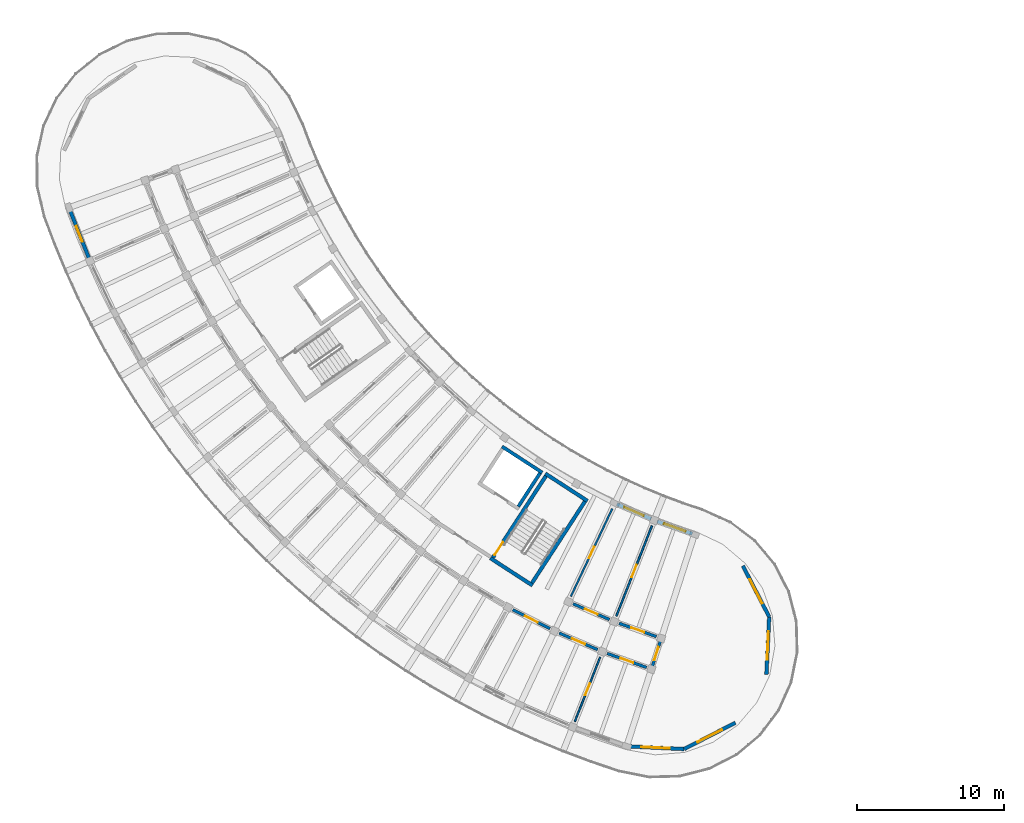
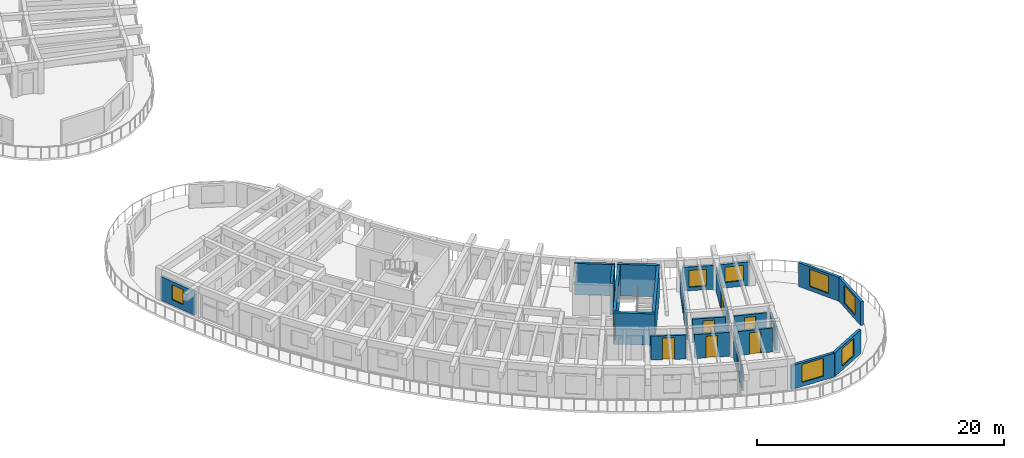
# One storey, part 43 of 83: 22 walls, 10 doors, 7 windows, 17 openings.
"""IFC4 building model written with IfcOpenShell, lengths in metres."""

import ifcopenshell
import ifcopenshell.guid

model = None  # the IFC model being written
_history = None  # IfcOwnerHistory: only IFC2X3 demands one
_inside = {}  # id of a spatial element -> (the spatial element, [elements in it])
_under = {}  # id of a project, library or spatial element -> (it, [spatial elements below it])
_declared = {}  # id of a project -> (the project, [libraries it declares])
_typed = {}  # id of a type object -> (the type object, [elements of that type])
_made_of = {}  # id of a material, layer set ... -> (it, [elements and type objects made of it])


def new_model(schema):
    """Start an empty IFC model of exactly this schema.

    Asked for "IFC4X3", IfcOpenShell would pick the latest addendum, in which some entities
    have other attributes; the version numbers below select the first issue.
    IFC2X3 requires an IfcOwnerHistory on every rooted entity: one is made here for all.
    """
    global model, _history
    if schema == "IFC4X3":
        model = ifcopenshell.file(schema_version=(4, 3, 0, 0))
    else:
        model = ifcopenshell.file(schema=schema)
    _inside.clear()
    _under.clear()
    _declared.clear()
    _typed.clear()
    _made_of.clear()
    _history = None
    if model.schema == "IFC2X3":
        org = make("IfcOrganization", Name="unknown")
        user = make(
            "IfcPersonAndOrganization",
            ThePerson=make("IfcPerson", FamilyName="unknown"),
            TheOrganization=org,
        )
        app = make(
            "IfcApplication",
            ApplicationDeveloper=org,
            Version="unknown",
            ApplicationFullName="unknown",
            ApplicationIdentifier="unknown",
        )
        _history = make(
            "IfcOwnerHistory",
            OwningUser=user,
            OwningApplication=app,
            ChangeAction="ADDED",
            CreationDate=0,
        )
    return model


def make(cls, **values):
    """One entity of the class cls with the attributes given. An attribute that is None is left unset."""
    return model.create_entity(
        cls, **{name: value for name, value in values.items() if value is not None}
    )


def rooted(cls, **values):
    """An entity with a GlobalId (a new one), such as an element, a storey or a relation."""
    return make(cls, GlobalId=ifcopenshell.guid.new(), OwnerHistory=_history, **values)


def si_unit(unit_type, name, prefix=None):
    """IfcSIUnit, for example si_unit("LENGTHUNIT", "METRE", prefix="MILLI")."""
    return make("IfcSIUnit", UnitType=unit_type, Prefix=prefix, Name=name)


def assignment(units):
    """IfcUnitAssignment: the units of a project."""
    return None if units is None else make("IfcUnitAssignment", Units=units)


def point(xyz):
    """IfcCartesianPoint."""
    return None if xyz is None else make("IfcCartesianPoint", Coordinates=xyz)


def direction(xyz):
    """IfcDirection."""
    return None if xyz is None else make("IfcDirection", DirectionRatios=xyz)


def frame(location, z_axis=None, x_axis=None):
    """IfcAxis2Placement3D, a coordinate frame: its origin and axes. An axis left out is left unset."""
    return make(
        "IfcAxis2Placement3D",
        Location=point(location),
        Axis=direction(z_axis),
        RefDirection=direction(x_axis),
    )


def frame_2d(location, x_axis=None):
    """IfcAxis2Placement2D, a coordinate frame in the plane: its origin and x axis."""
    return make(
        "IfcAxis2Placement2D", Location=point(location), RefDirection=direction(x_axis)
    )


def origin():
    """The frame at (0, 0, 0) with its axes left unset."""
    return frame((0.0, 0.0, 0.0))


def place(relative_to, where):
    """IfcLocalPlacement: puts the frame where relative to a parent placement (None: the world)."""
    return make(
        "IfcLocalPlacement", PlacementRelTo=relative_to, RelativePlacement=where
    )


def context(
    kind, dimensions, precision=None, world=None, true_north=None, identifier=None
):
    """IfcGeometricRepresentationContext, for example the 3D "Model" context."""
    return make(
        "IfcGeometricRepresentationContext",
        ContextIdentifier=identifier,
        ContextType=kind,
        CoordinateSpaceDimension=dimensions,
        Precision=precision,
        WorldCoordinateSystem=world,
        TrueNorth=true_north,
    )


def subcontext(parent, identifier, kind, view, scale=None):
    """IfcGeometricRepresentationSubContext, for example "Body" below "Model"."""
    return make(
        "IfcGeometricRepresentationSubContext",
        ContextIdentifier=identifier,
        ContextType=kind,
        ParentContext=parent,
        TargetScale=scale,
        TargetView=view,
    )


def project(units=None, contexts=None):
    """IfcProject with its units and contexts."""
    return rooted(
        "IfcProject",
        Name="project",
        RepresentationContexts=contexts,
        UnitsInContext=assignment(units),
    )


def spatial(cls, under=None, at=None, **own):
    """A site, building, storey or space (cls), placed at a placement, below another one or the project."""
    s = rooted(cls, ObjectPlacement=at, **own)
    if under is not None:
        _under.setdefault(under.id(), (under, []))[1].append(s)
    return s


def profile(cls, at=None, kind="AREA", **sizes):
    """A parametric profile (cls). Its sizes go by their IFC names, for example OverallWidth=200.0."""
    return make(cls, ProfileType=kind, Position=at, **sizes)


def rectangle(**sizes):
    """IfcRectangleProfileDef."""
    return profile("IfcRectangleProfileDef", **sizes)


def extrude(swept, where, along, depth):
    """IfcExtrudedAreaSolid: the profile swept, set in the frame where, extruded along a direction by depth."""
    return make(
        "IfcExtrudedAreaSolid",
        SweptArea=swept,
        Position=where,
        ExtrudedDirection=direction(along),
        Depth=depth,
    )


def shape(context_of_items, identifier, shape_type, items):
    """IfcShapeRepresentation: the items that make up one representation, for example the "Body"."""
    return make(
        "IfcShapeRepresentation",
        ContextOfItems=context_of_items,
        RepresentationIdentifier=identifier,
        RepresentationType=shape_type,
        Items=items,
    )


def material(Name=None, Category=None):
    """IfcMaterial."""
    return make("IfcMaterial", Name=Name, Category=Category)


def layer(
    of_material, thickness, ventilated=None, Name=None, Category=None, Priority=None
):
    """IfcMaterialLayer: one layer of a wall or slab, of a material (None: an air gap)."""
    return make(
        "IfcMaterialLayer",
        Material=of_material,
        LayerThickness=thickness,
        IsVentilated=ventilated,
        Name=Name,
        Category=Category,
        Priority=Priority,
    )


def layer_set(layers, Name=None):
    """IfcMaterialLayerSet."""
    return make("IfcMaterialLayerSet", MaterialLayers=layers, LayerSetName=Name)


def made_of(thing, what):
    """Note that an element or type object is made of a material, layer set ...; save() writes the relation."""
    if what is not None:
        _made_of.setdefault(what.id(), (what, []))[1].append(thing)
    return thing


def type_object(cls, material=None, **own):
    """A type object (cls), such as IfcWallType, which elements share."""
    return made_of(rooted(cls, **own), material)


def element(
    cls,
    number,
    at=None,
    inside=None,
    cuts=None,
    type_object=None,
    material=None,
    context=None,
    identifier="Body",
    shape_type=None,
    held_by="IfcProductDefinitionShape",
    body=None,
    shapes=None,
    **own,
):
    """One element of the class cls, such as IfcWall. Its Tag is "e" and its number.

    at: its placement. inside: the storey or other place that contains it. cuts: it is an
    opening in that element (IfcRelVoidsElement). A single representation is given by context,
    identifier, shape_type and body (its items); several are given by shapes. held_by: the class
    of the entity that holds the representations. save() writes the other relations.
    """
    e = rooted(cls, Tag="e%d" % number, ObjectPlacement=at, **own)
    if body is not None:
        shapes = [shape(context, identifier, shape_type, body)]
    if shapes is not None:
        e.Representation = make(held_by, Representations=shapes)
    if inside is not None:
        _inside.setdefault(inside.id(), (inside, []))[1].append(e)
    if cuts is not None:
        rooted(
            "IfcRelVoidsElement", RelatingBuildingElement=cuts, RelatedOpeningElement=e
        )
    if type_object is not None:
        _typed.setdefault(type_object.id(), (type_object, []))[1].append(e)
    return made_of(e, material)


def fill(opening, filler):
    """IfcRelFillsElement: the door or window that sits in an opening."""
    return rooted(
        "IfcRelFillsElement",
        RelatingOpeningElement=opening,
        RelatedBuildingElement=filler,
    )


def aggregate(whole, parts):
    """IfcRelAggregates: a whole, such as a stair, and the parts it consists of."""
    return rooted("IfcRelAggregates", RelatingObject=whole, RelatedObjects=parts)


def save(model, path):
    """Write the relations noted so far, then the file.

    IfcRelAggregates (storeys below a building ...), IfcRelContainedInSpatialStructure (elements
    in a storey), IfcRelDefinesByType, IfcRelAssociatesMaterial and IfcRelDeclares: one each for
    every whole, place, type object, material and project.
    """
    for whole, parts in _under.values():
        aggregate(whole, parts)
    for where, things in _inside.values():
        rooted(
            "IfcRelContainedInSpatialStructure",
            RelatedElements=things,
            RelatingStructure=where,
        )
    for kind, things in _typed.values():
        rooted("IfcRelDefinesByType", RelatedObjects=things, RelatingType=kind)
    for what, things in _made_of.values():
        rooted("IfcRelAssociatesMaterial", RelatedObjects=things, RelatingMaterial=what)
    for by, libraries in _declared.values():
        rooted("IfcRelDeclares", RelatingContext=by, RelatedDefinitions=libraries)
    model.write(path)


model = new_model("IFC4")

# Units and contexts
model_context = context("Model", 3, precision=1e-05, world=origin(), true_north=direction((0.0, 1.0)))
body_context = subcontext(model_context, "Body", "Model", "MODEL_VIEW")
ifc_project = project(units=[si_unit("LENGTHUNIT", "METRE"), si_unit("AREAUNIT", "SQUARE_METRE"), si_unit("VOLUMEUNIT", "CUBIC_METRE"), si_unit("PLANEANGLEUNIT", "RADIAN"), si_unit("MASSUNIT", "GRAM", prefix="KILO")], contexts=[model_context])

# Site, building, storey
site_placement = place(None, origin())
site = spatial("IfcSite", under=ifc_project, at=site_placement, CompositionType="ELEMENT")
building_placement = place(site_placement, origin())
building = spatial("IfcBuilding", under=site, at=building_placement, Name="Tanwirah Colonnade Gardens", CompositionType="ELEMENT")
storey_placement = place(building_placement, frame((0.0, 0.0, 25.639892578125)))
storey = spatial("IfcBuildingStorey", under=building, at=storey_placement, Name="L07", CompositionType="ELEMENT", Elevation=25.639892578125)

# Wall, opening, window
ifc_material_1 = material(Name="Limestone architectural precast concrete C40/50", Category="masonry")
ifc_layer_1 = layer(ifc_material_1, 0.2451171875)
ifc_layer_set_1 = layer_set([ifc_layer_1], Name="Limestone architectural precast concrete C40/50")
wall_type_1 = type_object("IfcWallType", Name="EW-PC245", PredefinedType="SOLIDWALL", material=ifc_layer_set_1)
wall_1_placement = place(storey_placement, frame((9.011962890625, 44.228271484375, 0.0), z_axis=(0.0, 0.0, 1.0), x_axis=(0.368524215316, -0.929618148879, 0.0)))
wall_1 = element("IfcWall", 1, at=wall_1_placement, inside=storey, type_object=wall_type_1, Name="Block C L07 OUT Precast Facade Wall 1", PredefinedType="SOLIDWALL", context=body_context, shape_type="SweptSolid", body=[
    extrude(rectangle(XDim=3.51171875, YDim=0.2451171875, at=frame_2d((1.755859375, 0.0))), origin(), (0.0, 0.0, 1.0), 2.355224609375),
])
opening_1_placement = place(wall_1_placement, frame((1.17578125, 0.0, 0.550048828125)))
opening_1 = element("IfcOpeningElement", 2, at=opening_1_placement, cuts=wall_1, Name="Opening WIN-U01", PredefinedType="OPENING", context=body_context, shape_type="SweptSolid", body=[
    extrude(rectangle(XDim=1.159912109375, YDim=1.485107421875, at=frame_2d((0.580078125, 0.74267578125))), frame((0.0, 0.132568359375, 0.0), z_axis=(0.0, -1.0, 0.0), x_axis=(1.0, 0.0, 0.0)), (0.0, 0.0, 1.0), 0.26513671875),
])
ifc_material_2 = material(Name="Thermally broken bronze aluminium and solar low-E double glazing", Category="aluminium")
window_type_1 = type_object("IfcWindowType", Name="WIN-U01", PartitioningType="DOUBLE_PANEL_VERTICAL", PredefinedType="WINDOW", material=ifc_material_2)
window_1_placement = place(opening_1_placement, origin())
window_1 = element("IfcWindow", 3, at=window_1_placement, inside=storey, type_object=window_type_1, Name="Facade window C-L07-OUT-01", OverallHeight=1.485107421875, OverallWidth=1.159912109375, PartitioningType="SINGLE_PANEL", PredefinedType="WINDOW", context=body_context, shape_type="SweptSolid", body=[
    extrude(rectangle(XDim=1.159912109375, YDim=1.485107421875, at=frame_2d((0.580078125, 0.74267578125))), frame((0.0, 0.030029296875, 0.0), z_axis=(0.0, -1.0, 0.0), x_axis=(1.0, 0.0, 0.0)), (0.0, 0.0, 1.0), 0.06005859375),
])
fill(opening_1, window_1)

wall_2_placement = place(storey_placement, frame((46.185791015625, 24.2333984375, 0.0), z_axis=(0.0, 0.0, 1.0), x_axis=(0.917939882583, -0.39671951296, 0.0)))
wall_2 = element("IfcWall", 4, at=wall_2_placement, inside=storey, type_object=wall_type_1, Name="Block C L07 IN Precast Facade Wall 13", PredefinedType="SOLIDWALL", context=body_context, shape_type="SweptSolid", body=[
    extrude(rectangle(XDim=2.523681640625, YDim=0.2451171875, at=frame_2d((1.26171875, 0.0))), origin(), (0.0, 0.0, 1.0), 2.355224609375),
])
opening_2_placement = place(wall_2_placement, frame((0.5419921875, 0.0, 0.35009765625)))
opening_2 = element("IfcOpeningElement", 5, at=opening_2_placement, cuts=wall_2, Name="Opening WIN-U08", PredefinedType="OPENING", context=body_context, shape_type="SweptSolid", body=[
    extrude(rectangle(XDim=1.43994140625, YDim=1.659912109375, at=frame_2d((0.719970703125, 0.830078125))), frame((0.0, 0.132568359375, 0.0), z_axis=(0.0, -1.0, 0.0), x_axis=(1.0, 0.0, 0.0)), (0.0, 0.0, 1.0), 0.26513671875),
])
window_type_2 = type_object("IfcWindowType", Name="WIN-U08", PartitioningType="DOUBLE_PANEL_VERTICAL", PredefinedType="WINDOW", material=ifc_material_2)
window_2_placement = place(opening_2_placement, origin())
window_2 = element("IfcWindow", 6, at=window_2_placement, inside=storey, type_object=window_type_2, Name="Facade window C-L07-IN-13", OverallHeight=1.659912109375, OverallWidth=1.43994140625, PartitioningType="SINGLE_PANEL", PredefinedType="WINDOW", context=body_context, shape_type="SweptSolid", body=[
    extrude(rectangle(XDim=1.43994140625, YDim=1.659912109375, at=frame_2d((0.719970703125, 0.830078125))), frame((0.0, 0.030029296875, 0.0), z_axis=(0.0, -1.0, 0.0), x_axis=(1.0, 0.0, 0.0)), (0.0, 0.0, 1.0), 0.06005859375),
])
fill(opening_2, window_2)

wall_3_placement = place(storey_placement, frame((48.9208984375, 23.0673828125, 0.0), z_axis=(0.0, 0.0, 1.0), x_axis=(0.941910313922, -0.335864497272, 0.0)))
wall_3 = element("IfcWall", 7, at=wall_3_placement, inside=storey, type_object=wall_type_1, Name="Block C L07 IN Precast Facade Wall 14", PredefinedType="SOLIDWALL", context=body_context, shape_type="SweptSolid", body=[
    extrude(rectangle(XDim=2.52392578125, YDim=0.2451171875, at=frame_2d((1.261962890625, 0.0))), origin(), (0.0, 0.0, 1.0), 2.355224609375),
])
opening_3_placement = place(wall_3_placement, frame((0.48193359375, 0.0, 0.550048828125)))
opening_3 = element("IfcOpeningElement", 8, at=opening_3_placement, cuts=wall_3, Name="Opening WIN-U11", PredefinedType="OPENING", context=body_context, shape_type="SweptSolid", body=[
    extrude(rectangle(XDim=1.56005859375, YDim=1.510009765625, at=frame_2d((0.780029296875, 0.7548828125))), frame((0.0, 0.132568359375, 0.0), z_axis=(0.0, -1.0, 0.0), x_axis=(1.0, 0.0, 0.0)), (0.0, 0.0, 1.0), 0.26513671875),
])
window_type_3 = type_object("IfcWindowType", Name="WIN-U11", PartitioningType="DOUBLE_PANEL_VERTICAL", PredefinedType="WINDOW", material=ifc_material_2)
window_3_placement = place(opening_3_placement, origin())
window_3 = element("IfcWindow", 9, at=window_3_placement, inside=storey, type_object=window_type_3, Name="Facade window C-L07-IN-14", OverallHeight=1.510009765625, OverallWidth=1.56005859375, PartitioningType="SINGLE_PANEL", PredefinedType="WINDOW", context=body_context, shape_type="SweptSolid", body=[
    extrude(rectangle(XDim=1.56005859375, YDim=1.510009765625, at=frame_2d((0.780029296875, 0.7548828125))), frame((0.0, 0.030029296875, 0.0), z_axis=(0.0, -1.0, 0.0), x_axis=(1.0, 0.0, 0.0)), (0.0, 0.0, 1.0), 0.06005859375),
])
fill(opening_3, window_3)

wall_4_placement = place(storey_placement, frame((54.735595703125, 20.0517578125, 0.0), z_axis=(0.0, 0.0, 1.0), x_axis=(0.457901236663, -0.889003069434, 0.0)))
wall_4 = element("IfcWall", 10, at=wall_4_placement, inside=storey, type_object=wall_type_1, Name="Block C L07 END Rounded End Wall 1", PredefinedType="SOLIDWALL", context=body_context, shape_type="SweptSolid", body=[
    extrude(rectangle(XDim=3.908203125, YDim=0.2451171875, at=frame_2d((1.9541015625, 0.0))), origin(), (0.0, 0.0, 1.0), 2.355224609375),
])
opening_4_placement = place(wall_4_placement, frame((1.029052734375, 0.0, 0.39990234375)))
opening_4 = element("IfcOpeningElement", 11, at=opening_4_placement, cuts=wall_4, Name="Opening WIN-END1", PredefinedType="OPENING", context=body_context, shape_type="SweptSolid", body=[
    extrude(rectangle(XDim=1.85009765625, YDim=1.719970703125, at=frame_2d((0.925048828125, 0.85986328125))), frame((0.0, 0.132568359375, 0.0), z_axis=(0.0, -1.0, 0.0), x_axis=(1.0, 0.0, 0.0)), (0.0, 0.0, 1.0), 0.26513671875),
])
window_type_4 = type_object("IfcWindowType", Name="WIN-END1", PartitioningType="TRIPLE_PANEL_VERTICAL", PredefinedType="WINDOW", material=ifc_material_2)
window_4_placement = place(opening_4_placement, origin())
window_4 = element("IfcWindow", 12, at=window_4_placement, inside=storey, type_object=window_type_4, Name="Rounded corner window C-L07-END-1", OverallHeight=1.719970703125, OverallWidth=1.85009765625, PartitioningType="SINGLE_PANEL", PredefinedType="WINDOW", context=body_context, shape_type="SweptSolid", body=[
    extrude(rectangle(XDim=1.85009765625, YDim=1.719970703125, at=frame_2d((0.925048828125, 0.85986328125))), frame((0.0, 0.030029296875, 0.0), z_axis=(0.0, -1.0, 0.0), x_axis=(1.0, 0.0, 0.0)), (0.0, 0.0, 1.0), 0.06005859375),
])
fill(opening_4, window_4)

wall_5_placement = place(storey_placement, frame((56.525146484375, 16.577392578125, 0.0), z_axis=(0.0, 0.0, 1.0), x_axis=(-0.047974714619, -0.998848550461, 0.0)))
wall_5 = element("IfcWall", 13, at=wall_5_placement, inside=storey, type_object=wall_type_1, Name="Block C L07 END Rounded End Wall 2", PredefinedType="SOLIDWALL", context=body_context, shape_type="SweptSolid", body=[
    extrude(rectangle(XDim=3.908203125, YDim=0.2451171875, at=frame_2d((1.9541015625, 0.0))), origin(), (0.0, 0.0, 1.0), 2.355224609375),
])
opening_5_placement = place(wall_5_placement, frame((0.97900390625, 0.0, 0.39990234375)))
opening_5 = element("IfcOpeningElement", 14, at=opening_5_placement, cuts=wall_5, Name="Opening WIN-END2", PredefinedType="OPENING", context=body_context, shape_type="SweptSolid", body=[
    extrude(rectangle(XDim=1.949951171875, YDim=1.780029296875, at=frame_2d((0.97509765625, 0.89013671875))), frame((0.0, 0.132568359375, 0.0), z_axis=(0.0, -1.0, 0.0), x_axis=(1.0, 0.0, 0.0)), (0.0, 0.0, 1.0), 0.26513671875),
])
window_type_5 = type_object("IfcWindowType", Name="WIN-END2", PartitioningType="TRIPLE_PANEL_VERTICAL", PredefinedType="WINDOW", material=ifc_material_2)
window_5_placement = place(opening_5_placement, origin())
window_5 = element("IfcWindow", 15, at=window_5_placement, inside=storey, type_object=window_type_5, Name="Rounded corner window C-L07-END-2", OverallHeight=1.780029296875, OverallWidth=1.949951171875, PartitioningType="SINGLE_PANEL", PredefinedType="WINDOW", context=body_context, shape_type="SweptSolid", body=[
    extrude(rectangle(XDim=1.949951171875, YDim=1.780029296875, at=frame_2d((0.97509765625, 0.89013671875))), frame((0.0, 0.030029296875, 0.0), z_axis=(0.0, -1.0, 0.0), x_axis=(1.0, 0.0, 0.0)), (0.0, 0.0, 1.0), 0.06005859375),
])
fill(opening_5, window_5)

wall_6_placement = place(storey_placement, frame((54.223388671875, 9.38671875, 0.0), z_axis=(0.0, 0.0, 1.0), x_axis=(-0.889028498589, -0.457851863267, 0.0)))
wall_6 = element("IfcWall", 16, at=wall_6_placement, inside=storey, type_object=wall_type_1, Name="Block C L07 END Rounded End Wall 4", PredefinedType="SOLIDWALL", context=body_context, shape_type="SweptSolid", body=[
    extrude(rectangle(XDim=3.907958984375, YDim=0.2451171875, at=frame_2d((1.9541015625, 0.0))), origin(), (0.0, 0.0, 1.0), 2.355224609375),
])
opening_6_placement = place(wall_6_placement, frame((1.029052734375, 0.0, 0.39990234375)))
opening_6 = element("IfcOpeningElement", 17, at=opening_6_placement, cuts=wall_6, Name="Opening WIN-END1", PredefinedType="OPENING", context=body_context, shape_type="SweptSolid", body=[
    extrude(rectangle(XDim=1.85009765625, YDim=1.719970703125, at=frame_2d((0.925048828125, 0.85986328125))), frame((0.0, 0.132568359375, 0.0), z_axis=(0.0, -1.0, 0.0), x_axis=(1.0, 0.0, 0.0)), (0.0, 0.0, 1.0), 0.26513671875),
])
window_6_placement = place(opening_6_placement, origin())
window_6 = element("IfcWindow", 18, at=window_6_placement, inside=storey, type_object=window_type_4, Name="Rounded corner window C-L07-END-4", OverallHeight=1.719970703125, OverallWidth=1.85009765625, PartitioningType="SINGLE_PANEL", PredefinedType="WINDOW", context=body_context, shape_type="SweptSolid", body=[
    extrude(rectangle(XDim=1.85009765625, YDim=1.719970703125, at=frame_2d((0.925048828125, 0.85986328125))), frame((0.0, 0.030029296875, 0.0), z_axis=(0.0, -1.0, 0.0), x_axis=(1.0, 0.0, 0.0)), (0.0, 0.0, 1.0), 0.06005859375),
])
fill(opening_6, window_6)

wall_7_placement = place(storey_placement, frame((50.7490234375, 7.597412109375, 0.0), z_axis=(0.0, 0.0, 1.0), x_axis=(-0.998848550461, 0.047974714619, 0.0)))
wall_7 = element("IfcWall", 19, at=wall_7_placement, inside=storey, type_object=wall_type_1, Name="Block C L07 END Rounded End Wall 5", PredefinedType="SOLIDWALL", context=body_context, shape_type="SweptSolid", body=[
    extrude(rectangle(XDim=3.908203125, YDim=0.2451171875, at=frame_2d((1.9541015625, 0.0))), origin(), (0.0, 0.0, 1.0), 2.355224609375),
])
opening_7_placement = place(wall_7_placement, frame((0.97900390625, 0.0, 0.39990234375)))
opening_7 = element("IfcOpeningElement", 20, at=opening_7_placement, cuts=wall_7, Name="Opening WIN-END2", PredefinedType="OPENING", context=body_context, shape_type="SweptSolid", body=[
    extrude(rectangle(XDim=1.949951171875, YDim=1.780029296875, at=frame_2d((0.97509765625, 0.89013671875))), frame((0.0, 0.132568359375, 0.0), z_axis=(0.0, -1.0, 0.0), x_axis=(1.0, 0.0, 0.0)), (0.0, 0.0, 1.0), 0.26513671875),
])
window_7_placement = place(opening_7_placement, origin())
window_7 = element("IfcWindow", 21, at=window_7_placement, inside=storey, type_object=window_type_5, Name="Rounded corner window C-L07-END-5", OverallHeight=1.780029296875, OverallWidth=1.949951171875, PartitioningType="SINGLE_PANEL", PredefinedType="WINDOW", context=body_context, shape_type="SweptSolid", body=[
    extrude(rectangle(XDim=1.949951171875, YDim=1.780029296875, at=frame_2d((0.97509765625, 0.89013671875))), frame((0.0, 0.030029296875, 0.0), z_axis=(0.0, -1.0, 0.0), x_axis=(1.0, 0.0, 0.0)), (0.0, 0.0, 1.0), 0.06005859375),
])
fill(opening_7, window_7)

# Wall, opening, door
ifc_material_3 = material(Name="Precast concrete C40/50", Category="concrete")
ifc_layer_2 = layer(ifc_material_3, 0.195068359375)
ifc_layer_set_2 = layer_set([ifc_layer_2], Name="Precast concrete C40/50")
wall_type_2 = type_object("IfcWallType", Name="IW-CORR195", PredefinedType="PARTITIONING", material=ifc_layer_set_2)
wall_8_placement = place(storey_placement, frame((39.107421875, 17.067138671875, 0.0), z_axis=(0.0, 0.0, 1.0), x_axis=(0.890030590607, -0.45590080915, 0.0)))
wall_8 = element("IfcWall", 22, at=wall_8_placement, inside=storey, type_object=wall_type_2, Name="Block C L07 OUT Corridor Wall 12", PredefinedType="PARTITIONING", context=body_context, shape_type="SweptSolid", body=[
    extrude(rectangle(XDim=2.837158203125, YDim=0.195068359375, at=frame_2d((1.41845703125, 0.0))), origin(), (0.0, 0.0, 1.0), 2.3701171875),
])
opening_8_placement = place(wall_8_placement, frame((0.93359375, 0.0, 0.0)))
opening_8 = element("IfcOpeningElement", 23, at=opening_8_placement, cuts=wall_8, Name="Opening L07-AD1565", PredefinedType="OPENING", context=body_context, shape_type="SweptSolid", body=[
    extrude(rectangle(XDim=0.969970703125, YDim=2.14990234375, at=frame_2d((0.48486328125, 1.074951171875))), frame((0.0, 0.107421875, 0.0), z_axis=(0.0, -1.0, 0.0), x_axis=(1.0, 0.0, 0.0)), (0.0, 0.0, 1.0), 0.215087890625),
])
ifc_material_4 = material(Name="Solid oak fire-resisting apartment entrance door")
door_type_1 = type_object("IfcDoorType", Name="ID-FLT097", OperationType="NOTDEFINED", PredefinedType="DOOR", material=ifc_material_4)
door_1_placement = place(opening_8_placement, origin())
door_1 = element("IfcDoor", 24, at=door_1_placement, inside=storey, type_object=door_type_1, Name="Apartment corridor door L07-AD1565", OperationType="SINGLE_SWING_RIGHT", OverallHeight=2.14990234375, OverallWidth=0.969970703125, PredefinedType="DOOR", context=body_context, shape_type="SweptSolid", body=[
    extrude(rectangle(XDim=0.969970703125, YDim=2.14990234375, at=frame_2d((0.48486328125, 1.074951171875))), frame((0.0, 0.02490234375, 0.0), z_axis=(0.0, -1.0, 0.0), x_axis=(1.0, 0.0, 0.0)), (0.0, 0.0, 1.0), 0.050048828125),
])
fill(opening_8, door_1)

wall_9_placement = place(storey_placement, frame((42.26513671875, 15.475341796875, 0.0), z_axis=(0.0, 0.0, 1.0), x_axis=(0.917943439406, -0.396711282991, 0.0)))
wall_9 = element("IfcWall", 25, at=wall_9_placement, inside=storey, type_object=wall_type_2, Name="Block C L07 OUT Corridor Wall 13", PredefinedType="PARTITIONING", context=body_context, shape_type="SweptSolid", body=[
    extrude(rectangle(XDim=2.837158203125, YDim=0.195068359375, at=frame_2d((1.41845703125, 0.0))), origin(), (0.0, 0.0, 1.0), 2.3701171875),
])
opening_9_placement = place(wall_9_placement, frame((0.943603515625, 0.0, 0.0)))
opening_9 = element("IfcOpeningElement", 26, at=opening_9_placement, cuts=wall_9, Name="Opening L07-AD1567", PredefinedType="OPENING", context=body_context, shape_type="SweptSolid", body=[
    extrude(rectangle(XDim=0.949951171875, YDim=2.1298828125, at=frame_2d((0.47509765625, 1.06494140625))), frame((0.0, 0.107421875, 0.0), z_axis=(0.0, -1.0, 0.0), x_axis=(1.0, 0.0, 0.0)), (0.0, 0.0, 1.0), 0.215087890625),
])
door_type_2 = type_object("IfcDoorType", Name="ID-FLT095", OperationType="NOTDEFINED", PredefinedType="DOOR", material=ifc_material_4)
door_2_placement = place(opening_9_placement, origin())
door_2 = element("IfcDoor", 27, at=door_2_placement, inside=storey, type_object=door_type_2, Name="Apartment corridor door L07-AD1567", OperationType="SINGLE_SWING_LEFT", OverallHeight=2.1298828125, OverallWidth=0.949951171875, PredefinedType="DOOR", context=body_context, shape_type="SweptSolid", body=[
    extrude(rectangle(XDim=0.949951171875, YDim=2.1298828125, at=frame_2d((0.47509765625, 1.06494140625))), frame((0.0, 0.02490234375, 0.0), z_axis=(0.0, -1.0, 0.0), x_axis=(1.0, 0.0, 0.0)), (0.0, 0.0, 1.0), 0.050048828125),
])
fill(opening_9, door_2)

wall_10_placement = place(storey_placement, frame((43.20361328125, 17.465087890625, 0.0), z_axis=(0.0, 0.0, 1.0), x_axis=(0.91793557165, -0.39672948756, 0.0)))
wall_10 = element("IfcWall", 28, at=wall_10_placement, inside=storey, type_object=wall_type_2, Name="Block C L07 IN Corridor Wall 13", PredefinedType="PARTITIONING", context=body_context, shape_type="SweptSolid", body=[
    extrude(rectangle(XDim=2.69287109375, YDim=0.195068359375, at=frame_2d((1.346435546875, 0.0))), origin(), (0.0, 0.0, 1.0), 2.3701171875),
])
opening_10_placement = place(wall_10_placement, frame((0.87158203125, 0.0, 0.0)))
opening_10 = element("IfcOpeningElement", 29, at=opening_10_placement, cuts=wall_10, Name="Opening L07-AD1568", PredefinedType="OPENING", context=body_context, shape_type="SweptSolid", body=[
    extrude(rectangle(XDim=0.949951171875, YDim=2.1298828125, at=frame_2d((0.47509765625, 1.06494140625))), frame((0.0, 0.107421875, 0.0), z_axis=(0.0, -1.0, 0.0), x_axis=(1.0, 0.0, 0.0)), (0.0, 0.0, 1.0), 0.215087890625),
])
door_3_placement = place(opening_10_placement, origin())
door_3 = element("IfcDoor", 30, at=door_3_placement, inside=storey, type_object=door_type_2, Name="Apartment corridor door L07-AD1568", OperationType="SINGLE_SWING_RIGHT", OverallHeight=2.1298828125, OverallWidth=0.949951171875, PredefinedType="DOOR", context=body_context, shape_type="SweptSolid", body=[
    extrude(rectangle(XDim=0.949951171875, YDim=2.1298828125, at=frame_2d((0.47509765625, 1.06494140625))), frame((0.0, 0.02490234375, 0.0), z_axis=(0.0, -1.0, 0.0), x_axis=(1.0, 0.0, 0.0)), (0.0, 0.0, 1.0), 0.050048828125),
])
fill(opening_10, door_3)

wall_11_placement = place(storey_placement, frame((45.520263671875, 14.09326171875, 0.0), z_axis=(0.0, 0.0, 1.0), x_axis=(0.941930628611, -0.335807520589, 0.0)))
wall_11 = element("IfcWall", 31, at=wall_11_placement, inside=storey, type_object=wall_type_2, Name="Block C L07 OUT Corridor Wall 14", PredefinedType="PARTITIONING", context=body_context, shape_type="SweptSolid", body=[
    extrude(rectangle(XDim=2.8369140625, YDim=0.195068359375, at=frame_2d((1.41845703125, 0.0))), origin(), (0.0, 0.0, 1.0), 2.3701171875),
])
opening_11_placement = place(wall_11_placement, frame((0.95361328125, 0.0, 0.0)))
opening_11 = element("IfcOpeningElement", 32, at=opening_11_placement, cuts=wall_11, Name="Opening L07-AD1571", PredefinedType="OPENING", context=body_context, shape_type="SweptSolid", body=[
    extrude(rectangle(XDim=0.929931640625, YDim=2.1201171875, at=frame_2d((0.46484375, 1.06005859375))), frame((0.0, 0.107421875, 0.0), z_axis=(0.0, -1.0, 0.0), x_axis=(1.0, 0.0, 0.0)), (0.0, 0.0, 1.0), 0.215087890625),
])
door_type_3 = type_object("IfcDoorType", Name="ID-FLT093", OperationType="NOTDEFINED", PredefinedType="DOOR", material=ifc_material_4)
door_4_placement = place(opening_11_placement, origin())
door_4 = element("IfcDoor", 33, at=door_4_placement, inside=storey, type_object=door_type_3, Name="Apartment corridor door L07-AD1571", OperationType="SINGLE_SWING_RIGHT", OverallHeight=2.1201171875, OverallWidth=0.929931640625, PredefinedType="DOOR", context=body_context, shape_type="SweptSolid", body=[
    extrude(rectangle(XDim=0.929931640625, YDim=2.1201171875, at=frame_2d((0.46484375, 1.06005859375))), frame((0.0, 0.02490234375, 0.0), z_axis=(0.0, -1.0, 0.0), x_axis=(1.0, 0.0, 0.0)), (0.0, 0.0, 1.0), 0.050048828125),
])
fill(opening_11, door_4)

wall_12_placement = place(storey_placement, frame((46.32666015625, 16.140380859375, 0.0), z_axis=(0.0, 0.0, 1.0), x_axis=(0.941895652647, -0.335905611036, 0.0)))
wall_12 = element("IfcWall", 34, at=wall_12_placement, inside=storey, type_object=wall_type_2, Name="Block C L07 IN Corridor Wall 14", PredefinedType="PARTITIONING", context=body_context, shape_type="SweptSolid", body=[
    extrude(rectangle(XDim=2.69287109375, YDim=0.195068359375, at=frame_2d((1.346435546875, 0.0))), origin(), (0.0, 0.0, 1.0), 2.3701171875),
])
opening_12_placement = place(wall_12_placement, frame((0.881591796875, 0.0, 0.0)))
opening_12 = element("IfcOpeningElement", 35, at=opening_12_placement, cuts=wall_12, Name="Opening L07-AD1572", PredefinedType="OPENING", context=body_context, shape_type="SweptSolid", body=[
    extrude(rectangle(XDim=0.929931640625, YDim=2.1201171875, at=frame_2d((0.46484375, 1.06005859375))), frame((0.0, 0.107421875, 0.0), z_axis=(0.0, -1.0, 0.0), x_axis=(1.0, 0.0, 0.0)), (0.0, 0.0, 1.0), 0.215087890625),
])
door_5_placement = place(opening_12_placement, origin())
door_5 = element("IfcDoor", 36, at=door_5_placement, inside=storey, type_object=door_type_3, Name="Apartment corridor door L07-AD1572", OperationType="SINGLE_SWING_LEFT", OverallHeight=2.1201171875, OverallWidth=0.929931640625, PredefinedType="DOOR", context=body_context, shape_type="SweptSolid", body=[
    extrude(rectangle(XDim=0.929931640625, YDim=2.1201171875, at=frame_2d((0.46484375, 1.06005859375))), frame((0.0, 0.02490234375, 0.0), z_axis=(0.0, -1.0, 0.0), x_axis=(1.0, 0.0, 0.0)), (0.0, 0.0, 1.0), 0.050048828125),
])
fill(opening_12, door_5)

wall_13_placement = place(storey_placement, frame((49.177490234375, 15.070556640625, 0.0), z_axis=(0.0, 0.0, 1.0), x_axis=(-0.304834784779, -0.952405246725, 0.0)))
wall_13 = element("IfcWall", 37, at=wall_13_placement, inside=storey, type_object=wall_type_2, Name="Block C L07 CE Corner Suite Corridor Wall", PredefinedType="PARTITIONING", context=body_context, shape_type="SweptSolid", body=[
    extrude(rectangle(XDim=2.099853515625, YDim=0.195068359375, at=frame_2d((1.0498046875, 0.0))), origin(), (0.0, 0.0, 1.0), 2.3701171875),
])
opening_13_placement = place(wall_13_placement, frame((0.570068359375, 0.0, 0.0)))
opening_13 = element("IfcOpeningElement", 38, at=opening_13_placement, cuts=wall_13, Name="Opening L07-CD1574", PredefinedType="OPENING", context=body_context, shape_type="SweptSolid", body=[
    extrude(rectangle(XDim=0.949951171875, YDim=2.1298828125, at=frame_2d((0.47509765625, 1.06494140625))), frame((0.0, 0.107421875, 0.0), z_axis=(0.0, -1.0, 0.0), x_axis=(1.0, 0.0, 0.0)), (0.0, 0.0, 1.0), 0.215087890625),
])
door_6_placement = place(opening_13_placement, origin())
door_6 = element("IfcDoor", 39, at=door_6_placement, inside=storey, type_object=door_type_2, Name="Corner suite entrance door L07-CD1574", OperationType="SINGLE_SWING_RIGHT", OverallHeight=2.1298828125, OverallWidth=0.949951171875, PredefinedType="DOOR", context=body_context, shape_type="SweptSolid", body=[
    extrude(rectangle(XDim=0.949951171875, YDim=2.1298828125, at=frame_2d((0.47509765625, 1.06494140625))), frame((0.0, 0.02490234375, 0.0), z_axis=(0.0, -1.0, 0.0), x_axis=(1.0, 0.0, 0.0)), (0.0, 0.0, 1.0), 0.050048828125),
])
fill(opening_13, door_6)

ifc_material_5 = material(Name="Acoustic gypsum stud partition")
ifc_layer_3 = layer(ifc_material_5, 0.114990234375)
ifc_layer_set_3 = layer_set([ifc_layer_3], Name="Acoustic gypsum stud partition")
wall_type_3 = type_object("IfcWallType", Name="IW-INT115", PredefinedType="PARTITIONING", material=ifc_layer_set_3)
wall_14_placement = place(storey_placement, frame((45.0439453125, 13.8388671875, 0.0), z_axis=(0.0, 0.0, 1.0), x_axis=(-0.366468650514, -0.930430399434, 0.0)))
wall_14 = element("IfcWall", 40, at=wall_14_placement, inside=storey, type_object=wall_type_3, Name="Block C L07 Radial Partition 13", PredefinedType="PARTITIONING", context=body_context, shape_type="SweptSolid", body=[
    extrude(rectangle(XDim=4.699951171875, YDim=0.114990234375, at=frame_2d((2.35009765625, 0.0))), origin(), (0.0, 0.0, 1.0), 2.3701171875),
])
opening_14_placement = place(wall_14_placement, frame((1.9150390625, 0.0, 0.0)))
opening_14 = element("IfcOpeningElement", 41, at=opening_14_placement, cuts=wall_14, Name="Opening L07-RD1569", PredefinedType="OPENING", context=body_context, shape_type="SweptSolid", body=[
    extrude(rectangle(XDim=0.8701171875, YDim=2.080078125, at=frame_2d((0.43505859375, 1.0400390625))), frame((0.0, 0.0673828125, 0.0), z_axis=(0.0, -1.0, 0.0), x_axis=(1.0, 0.0, 0.0)), (0.0, 0.0, 1.0), 0.135009765625),
])
ifc_material_6 = material(Name="Painted hardwood study door", Category="wood")
door_type_4 = type_object("IfcDoorType", Name="ID-RM087", OperationType="NOTDEFINED", PredefinedType="DOOR", material=ifc_material_6)
door_7_placement = place(opening_14_placement, origin())
door_7 = element("IfcDoor", 42, at=door_7_placement, inside=storey, type_object=door_type_4, Name="Internal apartment door L07-RD1569", OperationType="SINGLE_SWING_LEFT", OverallHeight=2.080078125, OverallWidth=0.8701171875, PredefinedType="DOOR", context=body_context, shape_type="SweptSolid", body=[
    extrude(rectangle(XDim=0.8701171875, YDim=2.080078125, at=frame_2d((0.43505859375, 1.0400390625))), frame((0.0, 0.02490234375, 0.0), z_axis=(0.0, -1.0, 0.0), x_axis=(1.0, 0.0, 0.0)), (0.0, 0.0, 1.0), 0.050048828125),
])
fill(opening_14, door_7)

ifc_material_7 = material(Name="Moisture-resistant gypsum stud partition")
ifc_layer_4 = layer(ifc_material_7, 0.125)
ifc_layer_set_4 = layer_set([ifc_layer_4], Name="Moisture-resistant gypsum stud partition")
wall_type_4 = type_object("IfcWallType", Name="IW-INT125", PredefinedType="PARTITIONING", material=ifc_layer_set_4)
wall_15_placement = place(storey_placement, frame((45.868408203125, 23.935302734375, 0.0), z_axis=(0.0, 0.0, 1.0), x_axis=(-0.426573573579, -0.904452865728, 0.0)))
wall_15 = element("IfcWall", 43, at=wall_15_placement, inside=storey, type_object=wall_type_4, Name="Block C L07 Inner Radial Partition 12", PredefinedType="PARTITIONING", context=body_context, shape_type="SweptSolid", body=[
    extrude(rectangle(XDim=6.60009765625, YDim=0.125, at=frame_2d((3.300048828125, 0.0))), origin(), (0.0, 0.0, 1.0), 2.3701171875),
])
opening_15_placement = place(wall_15_placement, frame((2.864990234375, 0.0, 0.0)))
opening_15 = element("IfcOpeningElement", 44, at=opening_15_placement, cuts=wall_15, Name="Opening L07-RD1566", PredefinedType="OPENING", context=body_context, shape_type="SweptSolid", body=[
    extrude(rectangle(XDim=0.8701171875, YDim=2.080078125, at=frame_2d((0.43505859375, 1.0400390625))), frame((0.0, 0.072509765625, 0.0), z_axis=(0.0, -1.0, 0.0), x_axis=(1.0, 0.0, 0.0)), (0.0, 0.0, 1.0), 0.14501953125),
])
door_8_placement = place(opening_15_placement, origin())
door_8 = element("IfcDoor", 45, at=door_8_placement, inside=storey, type_object=door_type_4, Name="Internal apartment door L07-RD1566", OperationType="SINGLE_SWING_LEFT", OverallHeight=2.080078125, OverallWidth=0.8701171875, PredefinedType="DOOR", context=body_context, shape_type="SweptSolid", body=[
    extrude(rectangle(XDim=0.8701171875, YDim=2.080078125, at=frame_2d((0.43505859375, 1.0400390625))), frame((0.0, 0.02490234375, 0.0), z_axis=(0.0, -1.0, 0.0), x_axis=(1.0, 0.0, 0.0)), (0.0, 0.0, 1.0), 0.050048828125),
])
fill(opening_15, door_8)

wall_16_placement = place(storey_placement, frame((48.5625, 22.770751953125, 0.0), z_axis=(0.0, 0.0, 1.0), x_axis=(-0.366512873936, -0.930412979939, 0.0)))
wall_16 = element("IfcWall", 46, at=wall_16_placement, inside=storey, type_object=wall_type_4, Name="Block C L07 Inner Radial Partition 13", PredefinedType="PARTITIONING", context=body_context, shape_type="SweptSolid", body=[
    extrude(rectangle(XDim=6.599853515625, YDim=0.125, at=frame_2d((3.2998046875, 0.0))), origin(), (0.0, 0.0, 1.0), 2.3701171875),
])
opening_16_placement = place(wall_16_placement, frame((2.844970703125, 0.0, 0.0)))
opening_16 = element("IfcOpeningElement", 47, at=opening_16_placement, cuts=wall_16, Name="Opening L07-RD1570", PredefinedType="OPENING", context=body_context, shape_type="SweptSolid", body=[
    extrude(rectangle(XDim=0.909912109375, YDim=2.10009765625, at=frame_2d((0.455078125, 1.050048828125))), frame((0.0, 0.072509765625, 0.0), z_axis=(0.0, -1.0, 0.0), x_axis=(1.0, 0.0, 0.0)), (0.0, 0.0, 1.0), 0.14501953125),
])
ifc_material_8 = material(Name="Painted hardwood internal room door", Category="wood")
door_type_5 = type_object("IfcDoorType", Name="ID-RM091", OperationType="NOTDEFINED", PredefinedType="DOOR", material=ifc_material_8)
door_9_placement = place(opening_16_placement, origin())
door_9 = element("IfcDoor", 48, at=door_9_placement, inside=storey, type_object=door_type_5, Name="Internal apartment door L07-RD1570", OperationType="SINGLE_SWING_RIGHT", OverallHeight=2.10009765625, OverallWidth=0.909912109375, PredefinedType="DOOR", context=body_context, shape_type="SweptSolid", body=[
    extrude(rectangle(XDim=0.909912109375, YDim=2.10009765625, at=frame_2d((0.455078125, 1.050048828125))), frame((0.0, 0.02490234375, 0.0), z_axis=(0.0, -1.0, 0.0), x_axis=(1.0, 0.0, 0.0)), (0.0, 0.0, 1.0), 0.050048828125),
])
fill(opening_16, door_9)

# Walls
ifc_material_9 = material(Name="Concrete C45/55", Category="concrete")
ifc_layer_5 = layer(ifc_material_9, 0.25)
ifc_layer_set_5 = layer_set([ifc_layer_5], Name="Concrete C45/55")
wall_type_5 = type_object("IfcWallType", Name="SW-CORE250", PredefinedType="SHEAR", material=ifc_layer_set_5)
wall_17_placement = place(storey_placement, frame((40.412841796875, 18.881591796875, 0.0), z_axis=(0.0, 0.0, 1.0), x_axis=(0.544629435258, 0.838676802022, 0.0)))
element("IfcWall", 49, at=wall_17_placement, inside=storey, type_object=wall_type_5, Name="CORE-C2 L07 Stair Shaft Shear Wall LEFT", PredefinedType="SHEAR", context=body_context, shape_type="SweptSolid", body=[
    extrude(rectangle(XDim=6.599853515625, YDim=0.25, at=frame_2d((3.2998046875, 0.0))), origin(), (0.0, 0.0, 1.0), 3.110107421875),
])
wall_18_placement = place(storey_placement, frame((44.180419921875, 24.45361328125, 0.0), z_axis=(0.0, 0.0, 1.0), x_axis=(-0.838699580527, 0.544594356953, 0.0)))
element("IfcWall", 50, at=wall_18_placement, inside=storey, type_object=wall_type_5, Name="CORE-C2 L07 Stair Shaft Shear Wall FAR", PredefinedType="SHEAR", context=body_context, shape_type="SweptSolid", body=[
    extrude(rectangle(XDim=3.420166015625, YDim=0.25, at=frame_2d((1.7099609375, 0.0))), origin(), (0.0, 0.0, 1.0), 3.110107421875),
])
wall_19_placement = place(storey_placement, frame((40.449462890625, 18.708740234375, 0.0), z_axis=(0.0, 0.0, 1.0), x_axis=(-0.838678407117, 0.544626963559, 0.0)))
element("IfcWall", 51, at=wall_19_placement, inside=storey, type_object=wall_type_5, Name="CORE-C2 L07 Stair Shaft Shear Wall NEAR", PredefinedType="SHEAR", context=body_context, shape_type="SweptSolid", body=[
    extrude(rectangle(XDim=3.419921875, YDim=0.25, at=frame_2d((1.7099609375, 0.0))), origin(), (0.0, 0.0, 1.0), 3.110107421875),
])

# Wall, opening, door
wall_20_placement = place(storey_placement, frame((37.754150390625, 20.608154296875, 0.0), z_axis=(0.0, 0.0, 1.0), x_axis=(0.544655453679, 0.838659905312, 0.0)))
wall_20 = element("IfcWall", 52, at=wall_20_placement, inside=storey, type_object=wall_type_5, Name="CORE-C2 L07 Stair Shaft Shear Wall RIGHT", PredefinedType="SHEAR", context=body_context, shape_type="SweptSolid", body=[
    extrude(rectangle(XDim=6.60009765625, YDim=0.25, at=frame_2d((3.300048828125, 0.0))), origin(), (0.0, 0.0, 1.0), 3.110107421875),
])
opening_17_placement = place(wall_20_placement, frame((0.219970703125, 0.0, 0.0)))
opening_17 = element("IfcOpeningElement", 53, at=opening_17_placement, cuts=wall_20, Name="Opening L07-SD153", PredefinedType="OPENING", context=body_context, shape_type="SweptSolid", body=[
    extrude(rectangle(XDim=1.050048828125, YDim=2.14990234375, at=frame_2d((0.52490234375, 1.074951171875))), frame((0.0, 0.135009765625, 0.0), z_axis=(0.0, -1.0, 0.0), x_axis=(1.0, 0.0, 0.0)), (0.0, 0.0, 1.0), 0.27001953125),
])
ifc_material_10 = material(Name="Steel fire-resisting stair enclosure door", Category="steel")
door_type_6 = type_object("IfcDoorType", Name="ID-ST105", OperationType="NOTDEFINED", PredefinedType="DOOR", material=ifc_material_10)
door_10_placement = place(opening_17_placement, origin())
door_10 = element("IfcDoor", 54, at=door_10_placement, inside=storey, type_object=door_type_6, Name="CORE-C2 L07 Stair Fire Door L07-SD153", OperationType="SINGLE_SWING_RIGHT", OverallHeight=2.14990234375, OverallWidth=1.050048828125, PredefinedType="DOOR", context=body_context, shape_type="SweptSolid", body=[
    extrude(rectangle(XDim=1.050048828125, YDim=2.14990234375, at=frame_2d((0.52490234375, 1.074951171875))), frame((0.0, 0.02490234375, 0.0), z_axis=(0.0, -1.0, 0.0), x_axis=(1.0, 0.0, 0.0)), (0.0, 0.0, 1.0), 0.050048828125),
])
fill(opening_17, door_10)

# Walls
ifc_layer_6 = layer(ifc_material_9, 0.22998046875)
ifc_layer_set_6 = layer_set([ifc_layer_6], Name="Concrete C45/55")
wall_type_6 = type_object("IfcWallType", Name="SW-LIFT230", PredefinedType="SHEAR", material=ifc_layer_set_6)
wall_21_placement = place(storey_placement, frame((41.111572265625, 26.374755859375, 0.0), z_axis=(0.0, 0.0, 1.0), x_axis=(-0.838638623546, 0.544688221919, 0.0)))
element("IfcWall", 55, at=wall_21_placement, inside=storey, type_object=wall_type_6, Name="CORE-C2 L07 Lift Shaft Wall BACK", PredefinedType="SHEAR", context=body_context, shape_type="SweptSolid", body=[
    extrude(rectangle(XDim=3.260009765625, YDim=0.22998046875, at=frame_2d((1.6298828125, 0.0))), origin(), (0.0, 0.0, 1.0), 3.110107421875),
])
wall_22_placement = place(storey_placement, frame((39.48193359375, 24.07666015625, 0.0), z_axis=(0.0, 0.0, 1.0), x_axis=(0.544686387605, 0.838639814913, 0.0)))
element("IfcWall", 56, at=wall_22_placement, inside=storey, type_object=wall_type_6, Name="CORE-C2 L07 Lift Shaft Wall SIDEA", PredefinedType="SHEAR", context=body_context, shape_type="SweptSolid", body=[
    extrude(rectangle(XDim=2.7001953125, YDim=0.22998046875, at=frame_2d((1.35009765625, 0.0))), origin(), (0.0, 0.0, 1.0), 3.110107421875),
])

save(model, "model.ifc")
